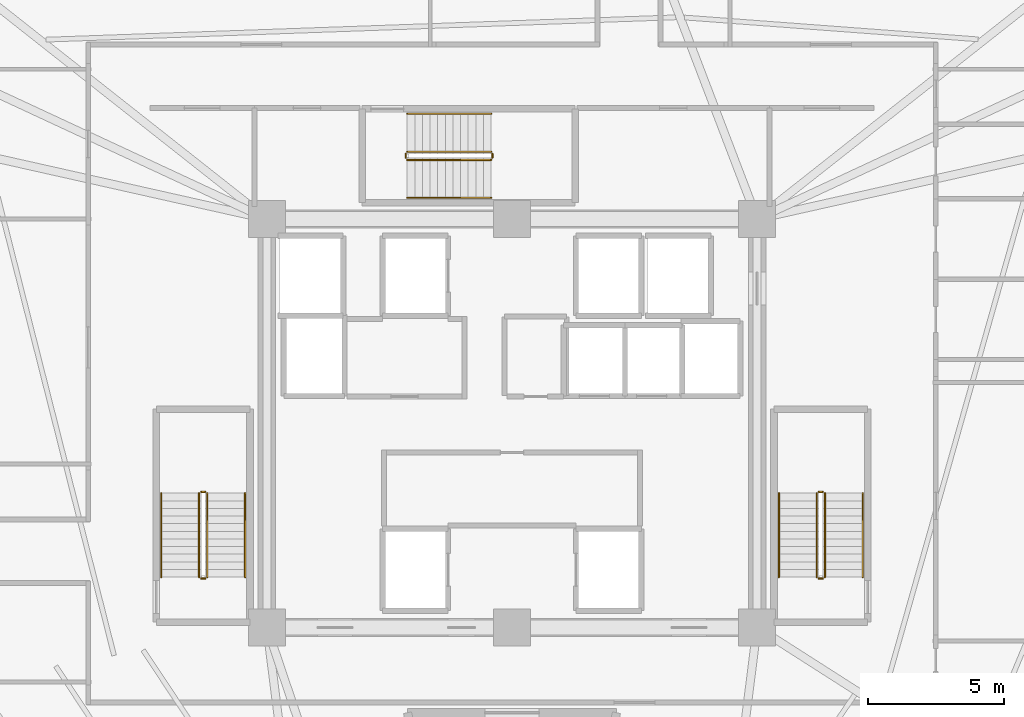
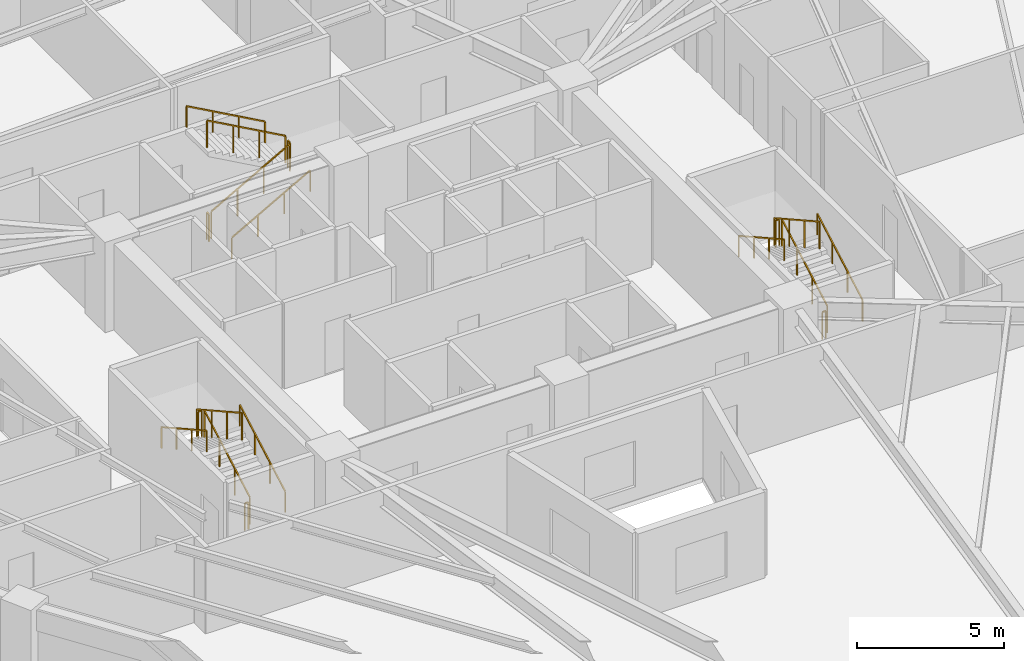
# One storey, part 8 of 8: 18 railings.
"""IFC4 building model written with IfcOpenShell, lengths in metres."""

from ifc_helpers import new_model, si_unit, direction, frame, origin, origin_2d, place, context, subcontext, project, spatial, rectangle, extrude, material, type_object, element, save


model = new_model("IFC4")

# Units and contexts
model_context = context("Model", 3, precision=1e-05, world=origin(), true_north=direction((0.0, 1.0)))
body_context = subcontext(model_context, "Body", "Model", "MODEL_VIEW")
ifc_project = project(units=[si_unit("LENGTHUNIT", "METRE"), si_unit("AREAUNIT", "SQUARE_METRE"), si_unit("VOLUMEUNIT", "CUBIC_METRE"), si_unit("PLANEANGLEUNIT", "RADIAN"), si_unit("MASSUNIT", "GRAM", prefix="KILO")], contexts=[model_context])

# Site, building, storey
site_placement = place(None, origin())
site = spatial("IfcSite", under=ifc_project, at=site_placement, CompositionType="ELEMENT")
building_placement = place(site_placement, origin())
building = spatial("IfcBuilding", under=site, at=building_placement, Name="Liaohun Quay Tower", CompositionType="ELEMENT")
storey_placement = place(building_placement, frame((0.0, 0.0, 209.25)))
storey = spatial("IfcBuildingStorey", under=building, at=storey_placement, Name="L54", CompositionType="ELEMENT", Elevation=209.25)

# Railings
ifc_material_1 = material(Name="Painted tubular steel", Category="steel")
railing_type_1 = type_object("IfcRailingType", Name="RLG-GUARD-STR", PredefinedType="GUARDRAIL", material=ifc_material_1)
railing_1_placement = place(storey_placement, frame((48.81005859375, 48.35009765625, 0.15625)))
element("IfcRailing", 1, at=railing_1_placement, inside=storey, type_object=railing_type_1, Name="L54 ST-1 stair guard 1", PredefinedType="GUARDRAIL", context=body_context, shape_type="SweptSolid", body=[
    extrude(rectangle(XDim=0.048095703125, YDim=0.048095703125, at=origin_2d()), frame((0.0, 0.0, 1.1259765625), z_axis=(0.0, 0.873225103656, 0.487317061414), x_axis=(-1.0, 0.0, 0.0)), (0.0, 0.0, 1.0), 3.52685546875),
    extrude(rectangle(XDim=0.0419921875, YDim=0.0419921875, at=origin_2d()), origin(), (0.0, 0.0, 1.0), 1.101806640625),
    extrude(rectangle(XDim=0.0419921875, YDim=0.0419921875, at=origin_2d()), frame((0.0, 1.026611328125, 0.572998046875)), (0.0, 0.0, 1.0), 1.101806640625),
    extrude(rectangle(XDim=0.0419921875, YDim=0.0419921875, at=origin_2d()), frame((0.0, 2.05322265625, 1.145751953125)), (0.0, 0.0, 1.0), 1.101806640625),
    extrude(rectangle(XDim=0.0419921875, YDim=0.0419921875, at=origin_2d()), frame((0.0, 3.079833984375, 1.71875)), (0.0, 0.0, 1.0), 1.101806640625),
])
railing_2_placement = place(storey_placement, frame((48.72998046875, 51.47998046875, 1.875)))
element("IfcRailing", 2, at=railing_2_placement, inside=storey, type_object=railing_type_1, Name="L54 ST-1 stair guard 2", PredefinedType="GUARDRAIL", context=body_context, shape_type="SweptSolid", body=[
    extrude(rectangle(XDim=0.048095703125, YDim=0.048095703125, at=origin_2d()), frame((0.0, 0.0, 1.1259765625), z_axis=(-1.0, 0.0, 0.0), x_axis=(0.0, -1.0, 0.0)), (0.0, 0.0, 1.0), 0.139892578125),
    extrude(rectangle(XDim=0.0419921875, YDim=0.0419921875, at=origin_2d()), origin(), (0.0, 0.0, 1.0), 1.101806640625),
    extrude(rectangle(XDim=0.0419921875, YDim=0.0419921875, at=origin_2d()), frame((-0.139892578125, 0.0, 0.0)), (0.0, 0.0, 1.0), 1.101806640625),
])
railing_3_placement = place(storey_placement, frame((48.510009765625, 51.429931640625, 2.03125)))
element("IfcRailing", 3, at=railing_3_placement, inside=storey, type_object=railing_type_1, Name="L54 ST-1 stair guard 3", PredefinedType="GUARDRAIL", context=body_context, shape_type="SweptSolid", body=[
    extrude(rectangle(XDim=0.048095703125, YDim=0.048095703125, at=origin_2d()), frame((0.0, 0.0, 1.1259765625), z_axis=(0.0, -0.873225103656, 0.487317061414), x_axis=(1.0, 0.0, 0.0)), (0.0, 0.0, 1.0), 3.52685546875),
    extrude(rectangle(XDim=0.0419921875, YDim=0.0419921875, at=origin_2d()), origin(), (0.0, 0.0, 1.0), 1.101806640625),
    extrude(rectangle(XDim=0.0419921875, YDim=0.0419921875, at=origin_2d()), frame((0.0, -1.026611328125, 0.572998046875)), (0.0, 0.0, 1.0), 1.101806640625),
    extrude(rectangle(XDim=0.0419921875, YDim=0.0419921875, at=origin_2d()), frame((0.0, -2.05322265625, 1.145751953125)), (0.0, 0.0, 1.0), 1.101806640625),
    extrude(rectangle(XDim=0.0419921875, YDim=0.0419921875, at=origin_2d()), frame((0.0, -3.079833984375, 1.71875)), (0.0, 0.0, 1.0), 1.101806640625),
])
railing_4_placement = place(storey_placement, frame((48.72998046875, 48.300048828125, 0.0)))
element("IfcRailing", 4, at=railing_4_placement, inside=storey, type_object=railing_type_1, Name="L54 ST-1 stair guard 4", PredefinedType="GUARDRAIL", context=body_context, shape_type="SweptSolid", body=[
    extrude(rectangle(XDim=0.048095703125, YDim=0.048095703125, at=origin_2d()), frame((0.0, 0.0, 1.1259765625), z_axis=(-1.0, 0.0, 0.0), x_axis=(0.0, -1.0, 0.0)), (0.0, 0.0, 1.0), 0.139892578125),
    extrude(rectangle(XDim=0.0419921875, YDim=0.0419921875, at=origin_2d()), origin(), (0.0, 0.0, 1.0), 1.101806640625),
    extrude(rectangle(XDim=0.0419921875, YDim=0.0419921875, at=origin_2d()), frame((-0.139892578125, 0.0, 0.0)), (0.0, 0.0, 1.0), 1.101806640625),
])
railing_5_placement = place(storey_placement, frame((71.489990234375, 48.35009765625, 0.15625)))
element("IfcRailing", 5, at=railing_5_placement, inside=storey, type_object=railing_type_1, Name="L54 ST-2 stair guard 1", PredefinedType="GUARDRAIL", context=body_context, shape_type="SweptSolid", body=[
    extrude(rectangle(XDim=0.048095703125, YDim=0.048095703125, at=origin_2d()), frame((0.0, 0.0, 1.1259765625), z_axis=(0.0, 0.873225103656, 0.487317061414), x_axis=(-1.0, 0.0, 0.0)), (0.0, 0.0, 1.0), 3.52685546875),
    extrude(rectangle(XDim=0.0419921875, YDim=0.0419921875, at=origin_2d()), origin(), (0.0, 0.0, 1.0), 1.101806640625),
    extrude(rectangle(XDim=0.0419921875, YDim=0.0419921875, at=origin_2d()), frame((0.0, 1.026611328125, 0.572998046875)), (0.0, 0.0, 1.0), 1.101806640625),
    extrude(rectangle(XDim=0.0419921875, YDim=0.0419921875, at=origin_2d()), frame((0.0, 2.05322265625, 1.145751953125)), (0.0, 0.0, 1.0), 1.101806640625),
    extrude(rectangle(XDim=0.0419921875, YDim=0.0419921875, at=origin_2d()), frame((0.0, 3.079833984375, 1.71875)), (0.0, 0.0, 1.0), 1.101806640625),
])
railing_6_placement = place(storey_placement, frame((71.409912109375, 51.47998046875, 1.875)))
element("IfcRailing", 6, at=railing_6_placement, inside=storey, type_object=railing_type_1, Name="L54 ST-2 stair guard 2", PredefinedType="GUARDRAIL", context=body_context, shape_type="SweptSolid", body=[
    extrude(rectangle(XDim=0.048095703125, YDim=0.048095703125, at=origin_2d()), frame((0.0, 0.0, 1.1259765625), z_axis=(-1.0, 0.0, 0.0), x_axis=(0.0, -1.0, 0.0)), (0.0, 0.0, 1.0), 0.139892578125),
    extrude(rectangle(XDim=0.0419921875, YDim=0.0419921875, at=origin_2d()), origin(), (0.0, 0.0, 1.0), 1.101806640625),
    extrude(rectangle(XDim=0.0419921875, YDim=0.0419921875, at=origin_2d()), frame((-0.139892578125, 0.0, 0.0)), (0.0, 0.0, 1.0), 1.101806640625),
])
railing_7_placement = place(storey_placement, frame((71.18994140625, 51.429931640625, 2.03125)))
element("IfcRailing", 7, at=railing_7_placement, inside=storey, type_object=railing_type_1, Name="L54 ST-2 stair guard 3", PredefinedType="GUARDRAIL", context=body_context, shape_type="SweptSolid", body=[
    extrude(rectangle(XDim=0.048095703125, YDim=0.048095703125, at=origin_2d()), frame((0.0, 0.0, 1.1259765625), z_axis=(0.0, -0.873225103656, 0.487317061414), x_axis=(1.0, 0.0, 0.0)), (0.0, 0.0, 1.0), 3.52685546875),
    extrude(rectangle(XDim=0.0419921875, YDim=0.0419921875, at=origin_2d()), origin(), (0.0, 0.0, 1.0), 1.101806640625),
    extrude(rectangle(XDim=0.0419921875, YDim=0.0419921875, at=origin_2d()), frame((0.0, -1.026611328125, 0.572998046875)), (0.0, 0.0, 1.0), 1.101806640625),
    extrude(rectangle(XDim=0.0419921875, YDim=0.0419921875, at=origin_2d()), frame((0.0, -2.05322265625, 1.145751953125)), (0.0, 0.0, 1.0), 1.101806640625),
    extrude(rectangle(XDim=0.0419921875, YDim=0.0419921875, at=origin_2d()), frame((0.0, -3.079833984375, 1.71875)), (0.0, 0.0, 1.0), 1.101806640625),
])
railing_8_placement = place(storey_placement, frame((71.409912109375, 48.300048828125, 0.0)))
element("IfcRailing", 8, at=railing_8_placement, inside=storey, type_object=railing_type_1, Name="L54 ST-2 stair guard 4", PredefinedType="GUARDRAIL", context=body_context, shape_type="SweptSolid", body=[
    extrude(rectangle(XDim=0.048095703125, YDim=0.048095703125, at=origin_2d()), frame((0.0, 0.0, 1.1259765625), z_axis=(-1.0, 0.0, 0.0), x_axis=(0.0, -1.0, 0.0)), (0.0, 0.0, 1.0), 0.139892578125),
    extrude(rectangle(XDim=0.0419921875, YDim=0.0419921875, at=origin_2d()), origin(), (0.0, 0.0, 1.0), 1.101806640625),
    extrude(rectangle(XDim=0.0419921875, YDim=0.0419921875, at=origin_2d()), frame((-0.139892578125, 0.0, 0.0)), (0.0, 0.0, 1.0), 1.101806640625),
])
railing_9_placement = place(storey_placement, frame((56.14990234375, 63.669921875, 0.15625)))
element("IfcRailing", 9, at=railing_9_placement, inside=storey, type_object=railing_type_1, Name="L54 ST-3 stair guard 1", PredefinedType="GUARDRAIL", context=body_context, shape_type="SweptSolid", body=[
    extrude(rectangle(XDim=0.048095703125, YDim=0.048095703125, at=origin_2d()), frame((0.0, 0.0, 1.1259765625), z_axis=(0.873241540666, 0.0, 0.487287606713), x_axis=(0.0, 1.0, 0.0)), (0.0, 0.0, 1.0), 3.527099609375),
    extrude(rectangle(XDim=0.0419921875, YDim=0.0419921875, at=origin_2d()), origin(), (0.0, 0.0, 1.0), 1.101806640625),
    extrude(rectangle(XDim=0.0419921875, YDim=0.0419921875, at=origin_2d()), frame((1.026611328125, 0.0, 0.572998046875)), (0.0, 0.0, 1.0), 1.101806640625),
    extrude(rectangle(XDim=0.0419921875, YDim=0.0419921875, at=origin_2d()), frame((2.053466796875, 0.0, 1.145751953125)), (0.0, 0.0, 1.0), 1.101806640625),
    extrude(rectangle(XDim=0.0419921875, YDim=0.0419921875, at=origin_2d()), frame((3.080078125, 0.0, 1.71875)), (0.0, 0.0, 1.0), 1.101806640625),
])
railing_10_placement = place(storey_placement, frame((59.280029296875, 63.75, 1.875)))
element("IfcRailing", 10, at=railing_10_placement, inside=storey, type_object=railing_type_1, Name="L54 ST-3 stair guard 2", PredefinedType="GUARDRAIL", context=body_context, shape_type="SweptSolid", body=[
    extrude(rectangle(XDim=0.048095703125, YDim=0.048095703125, at=origin_2d()), frame((0.0, 0.0, 1.1259765625), z_axis=(0.0, 1.0, 0.0), x_axis=(-1.0, 0.0, 0.0)), (0.0, 0.0, 1.0), 0.139892578125),
    extrude(rectangle(XDim=0.0419921875, YDim=0.0419921875, at=origin_2d()), origin(), (0.0, 0.0, 1.0), 1.101806640625),
    extrude(rectangle(XDim=0.0419921875, YDim=0.0419921875, at=origin_2d()), frame((0.0, 0.139892578125, 0.0)), (0.0, 0.0, 1.0), 1.101806640625),
])
railing_11_placement = place(storey_placement, frame((59.22998046875, 63.969970703125, 2.03125)))
element("IfcRailing", 11, at=railing_11_placement, inside=storey, type_object=railing_type_1, Name="L54 ST-3 stair guard 3", PredefinedType="GUARDRAIL", context=body_context, shape_type="SweptSolid", body=[
    extrude(rectangle(XDim=0.048095703125, YDim=0.048095703125, at=origin_2d()), frame((0.0, 0.0, 1.1259765625), z_axis=(-0.873241540666, 0.0, 0.487287606713), x_axis=(0.0, -1.0, 0.0)), (0.0, 0.0, 1.0), 3.527099609375),
    extrude(rectangle(XDim=0.0419921875, YDim=0.0419921875, at=origin_2d()), origin(), (0.0, 0.0, 1.0), 1.101806640625),
    extrude(rectangle(XDim=0.0419921875, YDim=0.0419921875, at=origin_2d()), frame((-1.026611328125, 0.0, 0.572998046875)), (0.0, 0.0, 1.0), 1.101806640625),
    extrude(rectangle(XDim=0.0419921875, YDim=0.0419921875, at=origin_2d()), frame((-2.053466796875, 0.0, 1.145751953125)), (0.0, 0.0, 1.0), 1.101806640625),
    extrude(rectangle(XDim=0.0419921875, YDim=0.0419921875, at=origin_2d()), frame((-3.080078125, 0.0, 1.71875)), (0.0, 0.0, 1.0), 1.101806640625),
])
railing_12_placement = place(storey_placement, frame((56.10009765625, 63.75, 0.0)))
element("IfcRailing", 12, at=railing_12_placement, inside=storey, type_object=railing_type_1, Name="L54 ST-3 stair guard 4", PredefinedType="GUARDRAIL", context=body_context, shape_type="SweptSolid", body=[
    extrude(rectangle(XDim=0.048095703125, YDim=0.048095703125, at=origin_2d()), frame((0.0, 0.0, 1.1259765625), z_axis=(0.0, 1.0, 0.0), x_axis=(-1.0, 0.0, 0.0)), (0.0, 0.0, 1.0), 0.139892578125),
    extrude(rectangle(XDim=0.0419921875, YDim=0.0419921875, at=origin_2d()), origin(), (0.0, 0.0, 1.0), 1.101806640625),
    extrude(rectangle(XDim=0.0419921875, YDim=0.0419921875, at=origin_2d()), frame((0.0, 0.139892578125, 0.0)), (0.0, 0.0, 1.0), 1.101806640625),
])
ifc_material_2 = material(Name="Brushed stainless steel", Category="steel")
railing_type_2 = type_object("IfcRailingType", Name="RLG-HND-STR", PredefinedType="HANDRAIL", material=ifc_material_2)
railing_13_placement = place(storey_placement, frame((50.199951171875, 48.35009765625, 0.15625)))
element("IfcRailing", 13, at=railing_13_placement, inside=storey, type_object=railing_type_2, Name="L54 ST-1 stair handrail 1", PredefinedType="HANDRAIL", context=body_context, shape_type="SweptSolid", body=[
    extrude(rectangle(XDim=0.048095703125, YDim=0.048095703125, at=origin_2d()), frame((0.0, 0.0, 0.8759765625), z_axis=(0.0, 0.873225103656, 0.487317061414), x_axis=(-1.0, 0.0, 0.0)), (0.0, 0.0, 1.0), 3.52685546875),
    extrude(rectangle(XDim=0.0419921875, YDim=0.0419921875, at=origin_2d()), origin(), (0.0, 0.0, 1.0), 0.851806640625),
    extrude(rectangle(XDim=0.0419921875, YDim=0.0419921875, at=origin_2d()), frame((0.0, 1.026611328125, 0.572998046875)), (0.0, 0.0, 1.0), 0.851806640625),
    extrude(rectangle(XDim=0.0419921875, YDim=0.0419921875, at=origin_2d()), frame((0.0, 2.05322265625, 1.145751953125)), (0.0, 0.0, 1.0), 0.851806640625),
    extrude(rectangle(XDim=0.0419921875, YDim=0.0419921875, at=origin_2d()), frame((0.0, 3.079833984375, 1.71875)), (0.0, 0.0, 1.0), 0.851806640625),
])
railing_14_placement = place(storey_placement, frame((47.1201171875, 51.429931640625, 2.03125)))
element("IfcRailing", 14, at=railing_14_placement, inside=storey, type_object=railing_type_2, Name="L54 ST-1 stair handrail 2", PredefinedType="HANDRAIL", context=body_context, shape_type="SweptSolid", body=[
    extrude(rectangle(XDim=0.048095703125, YDim=0.048095703125, at=origin_2d()), frame((0.0, 0.0, 0.8759765625), z_axis=(0.0, -0.873225103656, 0.487317061414), x_axis=(1.0, 0.0, 0.0)), (0.0, 0.0, 1.0), 3.52685546875),
    extrude(rectangle(XDim=0.0419921875, YDim=0.0419921875, at=origin_2d()), origin(), (0.0, 0.0, 1.0), 0.851806640625),
    extrude(rectangle(XDim=0.0419921875, YDim=0.0419921875, at=origin_2d()), frame((0.0, -1.026611328125, 0.572998046875)), (0.0, 0.0, 1.0), 0.851806640625),
    extrude(rectangle(XDim=0.0419921875, YDim=0.0419921875, at=origin_2d()), frame((0.0, -2.05322265625, 1.145751953125)), (0.0, 0.0, 1.0), 0.851806640625),
    extrude(rectangle(XDim=0.0419921875, YDim=0.0419921875, at=origin_2d()), frame((0.0, -3.079833984375, 1.71875)), (0.0, 0.0, 1.0), 0.851806640625),
])
railing_15_placement = place(storey_placement, frame((72.8798828125, 48.35009765625, 0.15625)))
element("IfcRailing", 15, at=railing_15_placement, inside=storey, type_object=railing_type_2, Name="L54 ST-2 stair handrail 1", PredefinedType="HANDRAIL", context=body_context, shape_type="SweptSolid", body=[
    extrude(rectangle(XDim=0.048095703125, YDim=0.048095703125, at=origin_2d()), frame((0.0, 0.0, 0.8759765625), z_axis=(0.0, 0.873225103656, 0.487317061414), x_axis=(-1.0, 0.0, 0.0)), (0.0, 0.0, 1.0), 3.52685546875),
    extrude(rectangle(XDim=0.0419921875, YDim=0.0419921875, at=origin_2d()), origin(), (0.0, 0.0, 1.0), 0.851806640625),
    extrude(rectangle(XDim=0.0419921875, YDim=0.0419921875, at=origin_2d()), frame((0.0, 1.026611328125, 0.572998046875)), (0.0, 0.0, 1.0), 0.851806640625),
    extrude(rectangle(XDim=0.0419921875, YDim=0.0419921875, at=origin_2d()), frame((0.0, 2.05322265625, 1.145751953125)), (0.0, 0.0, 1.0), 0.851806640625),
    extrude(rectangle(XDim=0.0419921875, YDim=0.0419921875, at=origin_2d()), frame((0.0, 3.079833984375, 1.71875)), (0.0, 0.0, 1.0), 0.851806640625),
])
railing_16_placement = place(storey_placement, frame((69.800048828125, 51.429931640625, 2.03125)))
element("IfcRailing", 16, at=railing_16_placement, inside=storey, type_object=railing_type_2, Name="L54 ST-2 stair handrail 2", PredefinedType="HANDRAIL", context=body_context, shape_type="SweptSolid", body=[
    extrude(rectangle(XDim=0.048095703125, YDim=0.048095703125, at=origin_2d()), frame((0.0, 0.0, 0.8759765625), z_axis=(0.0, -0.873225103656, 0.487317061414), x_axis=(1.0, 0.0, 0.0)), (0.0, 0.0, 1.0), 3.52685546875),
    extrude(rectangle(XDim=0.0419921875, YDim=0.0419921875, at=origin_2d()), origin(), (0.0, 0.0, 1.0), 0.851806640625),
    extrude(rectangle(XDim=0.0419921875, YDim=0.0419921875, at=origin_2d()), frame((0.0, -1.026611328125, 0.572998046875)), (0.0, 0.0, 1.0), 0.851806640625),
    extrude(rectangle(XDim=0.0419921875, YDim=0.0419921875, at=origin_2d()), frame((0.0, -2.05322265625, 1.145751953125)), (0.0, 0.0, 1.0), 0.851806640625),
    extrude(rectangle(XDim=0.0419921875, YDim=0.0419921875, at=origin_2d()), frame((0.0, -3.079833984375, 1.71875)), (0.0, 0.0, 1.0), 0.851806640625),
])
railing_17_placement = place(storey_placement, frame((56.14990234375, 62.280029296875, 0.15625)))
element("IfcRailing", 17, at=railing_17_placement, inside=storey, type_object=railing_type_2, Name="L54 ST-3 stair handrail 1", PredefinedType="HANDRAIL", context=body_context, shape_type="SweptSolid", body=[
    extrude(rectangle(XDim=0.048095703125, YDim=0.048095703125, at=origin_2d()), frame((0.0, 0.0, 0.8759765625), z_axis=(0.873241540666, 0.0, 0.487287606713), x_axis=(0.0, 1.0, 0.0)), (0.0, 0.0, 1.0), 3.527099609375),
    extrude(rectangle(XDim=0.0419921875, YDim=0.0419921875, at=origin_2d()), origin(), (0.0, 0.0, 1.0), 0.851806640625),
    extrude(rectangle(XDim=0.0419921875, YDim=0.0419921875, at=origin_2d()), frame((1.026611328125, 0.0, 0.572998046875)), (0.0, 0.0, 1.0), 0.851806640625),
    extrude(rectangle(XDim=0.0419921875, YDim=0.0419921875, at=origin_2d()), frame((2.053466796875, 0.0, 1.145751953125)), (0.0, 0.0, 1.0), 0.851806640625),
    extrude(rectangle(XDim=0.0419921875, YDim=0.0419921875, at=origin_2d()), frame((3.080078125, 0.0, 1.71875)), (0.0, 0.0, 1.0), 0.851806640625),
])
railing_18_placement = place(storey_placement, frame((59.22998046875, 65.360107421875, 2.03125)))
element("IfcRailing", 18, at=railing_18_placement, inside=storey, type_object=railing_type_2, Name="L54 ST-3 stair handrail 2", PredefinedType="HANDRAIL", context=body_context, shape_type="SweptSolid", body=[
    extrude(rectangle(XDim=0.048095703125, YDim=0.048095703125, at=origin_2d()), frame((0.0, 0.0, 0.8759765625), z_axis=(-0.873241540666, 0.0, 0.487287606713), x_axis=(0.0, -1.0, 0.0)), (0.0, 0.0, 1.0), 3.527099609375),
    extrude(rectangle(XDim=0.0419921875, YDim=0.0419921875, at=origin_2d()), origin(), (0.0, 0.0, 1.0), 0.851806640625),
    extrude(rectangle(XDim=0.0419921875, YDim=0.0419921875, at=origin_2d()), frame((-1.026611328125, 0.0, 0.572998046875)), (0.0, 0.0, 1.0), 0.851806640625),
    extrude(rectangle(XDim=0.0419921875, YDim=0.0419921875, at=origin_2d()), frame((-2.053466796875, 0.0, 1.145751953125)), (0.0, 0.0, 1.0), 0.851806640625),
    extrude(rectangle(XDim=0.0419921875, YDim=0.0419921875, at=origin_2d()), frame((-3.080078125, 0.0, 1.71875)), (0.0, 0.0, 1.0), 0.851806640625),
])

save(model, "model.ifc")
